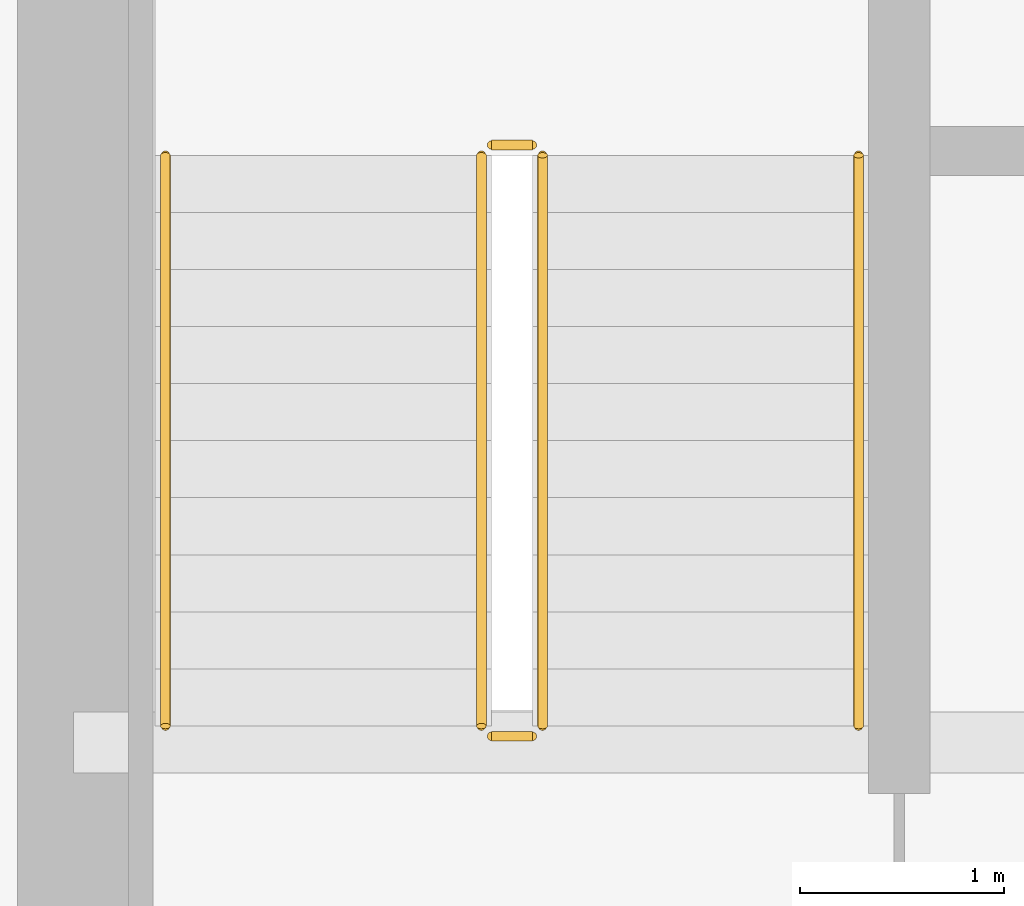
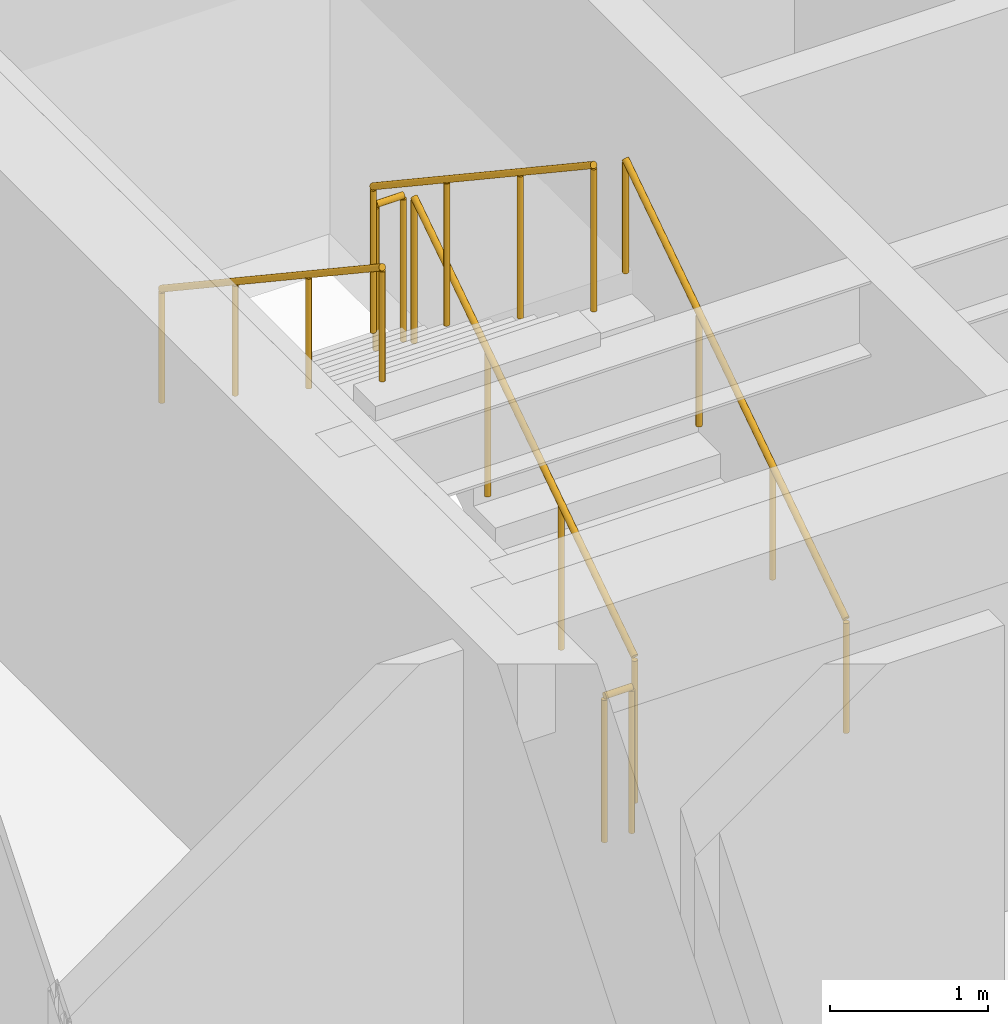
# One storey, part 32 of 33: 6 railings.
"""IFC4 building model written with IfcOpenShell, lengths in metres."""

from ifc_helpers import new_model, si_unit, direction, frame, origin, origin_2d, place, context, subcontext, project, spatial, circle, extrude, source, transform, mapped, material, type_object, type_shapes, element, save


model = new_model("IFC4")

# Units and contexts
model_context = context("Model", 3, precision=1e-05, world=origin(), true_north=direction((0.0, 1.0)))
body_context = subcontext(model_context, "Body", "Model", "MODEL_VIEW")
ifc_project = project(units=[si_unit("LENGTHUNIT", "METRE"), si_unit("AREAUNIT", "SQUARE_METRE"), si_unit("VOLUMEUNIT", "CUBIC_METRE"), si_unit("PLANEANGLEUNIT", "RADIAN"), si_unit("MASSUNIT", "GRAM", prefix="KILO")], contexts=[model_context])

# Site, building, storey
site_placement = place(None, origin())
site = spatial("IfcSite", under=ifc_project, at=site_placement, CompositionType="ELEMENT")
building_placement = place(site_placement, origin())
building = spatial("IfcBuilding", under=site, at=building_placement, Name="Haelvirn Gate Laboratories", CompositionType="ELEMENT")
storey_placement = place(building_placement, frame((0.0, 0.0, 287.5)))
storey = spatial("IfcBuildingStorey", under=building, at=storey_placement, Name="L69", CompositionType="ELEMENT", Elevation=287.5)

# Railings
ifc_material_1 = material(Name="Galvanised steel SM355 & stainless top rail", Category="steel")
railing_type_1 = type_object("IfcRailingType", Name="RL-GUARD-1150", PredefinedType="GUARDRAIL", material=ifc_material_1)
shared_shape_1 = source(origin(), body_context, "Body", "SweptSolid", [
    extrude(circle(Radius=0.02392578125, at=origin_2d()), frame((0.0, 0.0, 1.1259765625), z_axis=(-1.0, 0.0, 0.0), x_axis=(0.0, -1.0, 0.0)), (0.0, 0.0, 1.0), 0.199951171875),
    extrude(circle(Radius=0.02099609375, at=origin_2d()), origin(), (0.0, 0.0, 1.0), 1.101806640625),
    extrude(circle(Radius=0.02099609375, at=origin_2d()), frame((-0.199951171875, 0.0, 0.0)), (0.0, 0.0, 1.0), 1.101806640625),
])
for number, where, name in (
    (1, (9.64990234375, 29.550048828125, 2.050048828125), "L69 ST1 stair guard 2"),
    (2, (9.64990234375, 26.64990234375, 0.0), "L69 ST1 stair guard 4"),
):
    element("IfcRailing", number, at=place(storey_placement, frame(where)), inside=storey, type_object=railing_type_1, Name=name, PredefinedType="GUARDRAIL", context=body_context, shape_type="MappedRepresentation", body=[
        mapped(shared_shape_1, transform((0.0, 0.0, 0.0), scale=1.0)),
    ])
shared_shape_2 = source(origin(), body_context, "Body", "SweptSolid", [
    extrude(circle(Radius=0.02392578125, at=origin_2d()), frame((0.0, 0.0, 1.1259765625), z_axis=(0.0, -0.832452072856, 0.554097055034), x_axis=(1.0, 0.0, 0.0)), (0.0, 0.0, 1.0), 3.363525390625),
    extrude(circle(Radius=0.02099609375, at=origin_2d()), origin(), (0.0, 0.0, 1.0), 1.101806640625),
    extrude(circle(Radius=0.02099609375, at=origin_2d()), frame((0.0, -0.933349609375, 0.621337890625)), (0.0, 0.0, 1.0), 1.101806640625),
    extrude(circle(Radius=0.02099609375, at=origin_2d()), frame((0.0, -1.86669921875, 1.242431640625)), (0.0, 0.0, 1.0), 1.101806640625),
    extrude(circle(Radius=0.02099609375, at=origin_2d()), frame((0.0, -2.800048828125, 1.86376953125)), (0.0, 0.0, 1.0), 1.101806640625),
])
railing_1_placement = place(storey_placement, frame((9.39990234375, 29.5, 2.236328125)))
element("IfcRailing", 3, at=railing_1_placement, inside=storey, type_object=railing_type_1, Name="L69 ST1 stair guard 3", PredefinedType="GUARDRAIL", context=body_context, shape_type="MappedRepresentation", body=[
    mapped(shared_shape_2, transform((0.0, 0.0, 0.0), scale=1.0)),
])
ifc_material_2 = material(Name="Brushed stainless steel 316L", Category="steel")
railing_type_2 = type_object("IfcRailingType", Name="RL-HAND-920", PredefinedType="HANDRAIL", material=ifc_material_2)
shared_shape_3 = source(origin(), body_context, "Body", "SweptSolid", [
    extrude(circle(Radius=0.02392578125, at=origin_2d()), frame((0.0, 0.0, 0.8759765625), z_axis=(0.0, -0.832452072856, 0.554097055034), x_axis=(1.0, 0.0, 0.0)), (0.0, 0.0, 1.0), 3.363525390625),
    extrude(circle(Radius=0.02099609375, at=origin_2d()), origin(), (0.0, 0.0, 1.0), 0.851806640625),
    extrude(circle(Radius=0.02099609375, at=origin_2d()), frame((0.0, -0.933349609375, 0.621337890625)), (0.0, 0.0, 1.0), 0.851806640625),
    extrude(circle(Radius=0.02099609375, at=origin_2d()), frame((0.0, -1.86669921875, 1.242431640625)), (0.0, 0.0, 1.0), 0.851806640625),
    extrude(circle(Radius=0.02099609375, at=origin_2d()), frame((0.0, -2.800048828125, 1.86376953125)), (0.0, 0.0, 1.0), 0.851806640625),
])
railing_2_placement = place(storey_placement, frame((7.85009765625, 29.5, 2.236328125)))
element("IfcRailing", 4, at=railing_2_placement, inside=storey, type_object=railing_type_2, Name="L69 ST1 stair handrail 2", PredefinedType="HANDRAIL", context=body_context, shape_type="MappedRepresentation", body=[
    mapped(shared_shape_3, transform((0.0, 0.0, 0.0), scale=1.0)),
])
shared_shape_4 = source(origin(), body_context, "Body", "SweptSolid", [
    extrude(circle(Radius=0.02392578125, at=origin_2d()), frame((0.0, 0.0, 1.1259765625), z_axis=(0.0, 0.832452072856, 0.554097055034), x_axis=(-1.0, 0.0, 0.0)), (0.0, 0.0, 1.0), 3.363525390625),
    extrude(circle(Radius=0.02099609375, at=origin_2d()), origin(), (0.0, 0.0, 1.0), 1.101806640625),
    extrude(circle(Radius=0.02099609375, at=origin_2d()), frame((0.0, 0.933349609375, 0.621337890625)), (0.0, 0.0, 1.0), 1.101806640625),
    extrude(circle(Radius=0.02099609375, at=origin_2d()), frame((0.0, 1.86669921875, 1.242431640625)), (0.0, 0.0, 1.0), 1.101806640625),
    extrude(circle(Radius=0.02099609375, at=origin_2d()), frame((0.0, 2.800048828125, 1.86376953125)), (0.0, 0.0, 1.0), 1.101806640625),
])
type_shapes(railing_type_1, [shared_shape_1, shared_shape_2, shared_shape_4])
railing_3_placement = place(storey_placement, frame((9.699951171875, 26.699951171875, 0.186279296875)))
element("IfcRailing", 5, at=railing_3_placement, inside=storey, type_object=railing_type_1, Name="L69 ST1 stair guard 1", PredefinedType="GUARDRAIL", context=body_context, shape_type="MappedRepresentation", body=[
    mapped(shared_shape_4, transform((0.0, 0.0, 0.0), scale=1.0)),
])
shared_shape_5 = source(origin(), body_context, "Body", "SweptSolid", [
    extrude(circle(Radius=0.02392578125, at=origin_2d()), frame((0.0, 0.0, 0.8759765625), z_axis=(0.0, 0.832452072856, 0.554097055034), x_axis=(-1.0, 0.0, 0.0)), (0.0, 0.0, 1.0), 3.363525390625),
    extrude(circle(Radius=0.02099609375, at=origin_2d()), origin(), (0.0, 0.0, 1.0), 0.851806640625),
    extrude(circle(Radius=0.02099609375, at=origin_2d()), frame((0.0, 0.933349609375, 0.621337890625)), (0.0, 0.0, 1.0), 0.851806640625),
    extrude(circle(Radius=0.02099609375, at=origin_2d()), frame((0.0, 1.86669921875, 1.242431640625)), (0.0, 0.0, 1.0), 0.851806640625),
    extrude(circle(Radius=0.02099609375, at=origin_2d()), frame((0.0, 2.800048828125, 1.86376953125)), (0.0, 0.0, 1.0), 0.851806640625),
])
type_shapes(railing_type_2, [shared_shape_3, shared_shape_5])
railing_4_placement = place(storey_placement, frame((11.25, 26.699951171875, 0.186279296875)))
element("IfcRailing", 6, at=railing_4_placement, inside=storey, type_object=railing_type_2, Name="L69 ST1 stair handrail 1", PredefinedType="HANDRAIL", context=body_context, shape_type="MappedRepresentation", body=[
    mapped(shared_shape_5, transform((0.0, 0.0, 0.0), scale=1.0)),
])

save(model, "model.ifc")
